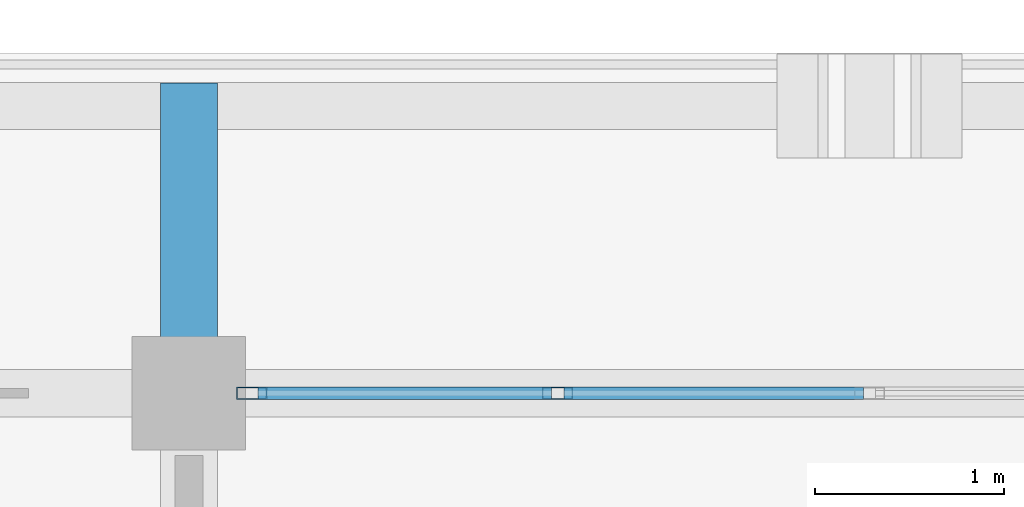
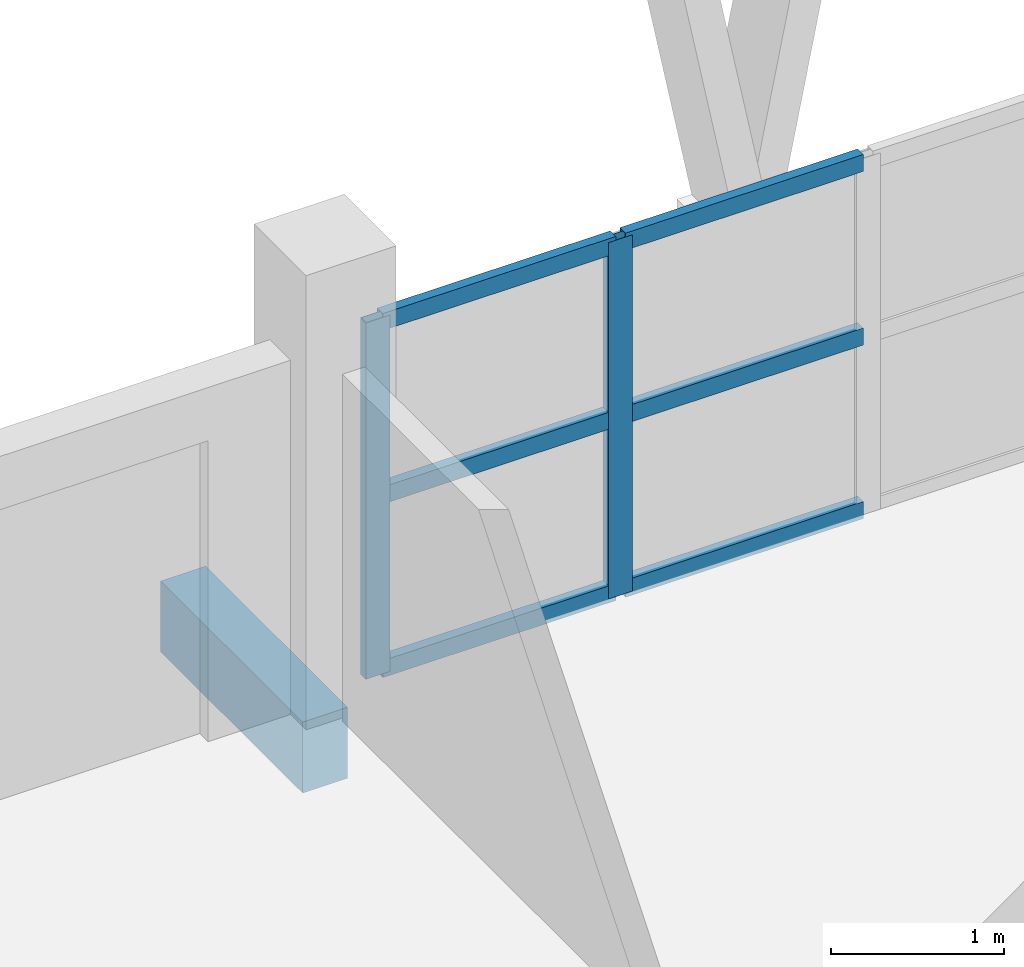
# One storey, part 13 of 56: 8 members, 1 beam, 1 element without a shape of its own.
"""IFC4 building model written with IfcOpenShell, lengths in metres."""

from ifc_helpers import new_model, si_unit, direction, frame, origin, origin_2d, place, context, subcontext, project, spatial, rectangle, hollow_rectangle, extrude, material, material_profile, profile_set, type_object, element, aggregate, save


model = new_model("IFC4")

# Units and contexts
model_context = context("Model", 3, precision=1e-05, world=origin(), true_north=direction((0.0, 1.0)))
body_context = subcontext(model_context, "Body", "Model", "MODEL_VIEW")
ifc_project = project(units=[si_unit("LENGTHUNIT", "METRE"), si_unit("AREAUNIT", "SQUARE_METRE"), si_unit("VOLUMEUNIT", "CUBIC_METRE"), si_unit("PLANEANGLEUNIT", "RADIAN"), si_unit("MASSUNIT", "GRAM", prefix="KILO")], contexts=[model_context])

# Site, building, storey
site_placement = place(None, origin())
site = spatial("IfcSite", under=ifc_project, at=site_placement, CompositionType="ELEMENT")
building_placement = place(site_placement, origin())
building = spatial("IfcBuilding", under=site, at=building_placement, Name="Suanplinth Sawtooth Commons", CompositionType="ELEMENT")
storey_placement = place(building_placement, frame((0.0, 0.0, 34.800048828125)))
storey = spatial("IfcBuildingStorey", under=building, at=storey_placement, Name="L10", CompositionType="ELEMENT", Elevation=34.800048828125)

# Beam
ifc_material_1 = material(Name="Precast concrete C40/50", Category="concrete")
ifc_material_profile_1 = material_profile(ifc_material_1, rectangle(XDim=0.300048828125, YDim=0.5, at=origin_2d()), Name="PC-BM 300x500")
ifc_profile_set_1 = profile_set([ifc_material_profile_1], Name="Precast concrete C40/50")
beam_type = type_object("IfcBeamType", Name="B-07", PredefinedType="BEAM", material=ifc_profile_set_1)
beam_placement = place(storey_placement, frame((79.199951171875, 122.39990234375, -0.429931640625), z_axis=(0.0, 1.0, 0.0), x_axis=(-1.0, 0.0, 0.0)))
element("IfcBeam", 1, at=beam_placement, inside=storey, type_object=beam_type, Name="Balcony Outrigger L10-A-N-11", PredefinedType="BEAM", context=body_context, shape_type="SweptSolid", body=[
    extrude(rectangle(XDim=0.300048828125, YDim=0.5, at=origin_2d()), origin(), (0.0, 0.0, 1.0), 1.64013671875),
])

# Curtain wall, members
ifc_material_2 = material(Name="Anodized aluminium and low-E glazing", Category="aluminium")
curtain_wall_type = type_object("IfcCurtainWallType", Name="CW-06", PredefinedType="USERDEFINED", material=ifc_material_2)
curtain_wall_placement = place(storey_placement, origin())
curtain_wall = element("IfcCurtainWall", 2, at=curtain_wall_placement, inside=storey, type_object=curtain_wall_type, Name="Curtain Wall CW-L10-A-LOUNGE-8", ObjectType="CURTAIN WALL", PredefinedType="USERDEFINED")
ifc_material_3 = material(Name="Anodized aluminium 6063-T6", Category="aluminium")
ifc_material_profile_2 = material_profile(ifc_material_3, hollow_rectangle(XDim=0.06494140625, YDim=0.159912109375, WallThickness=0.00390625, at=origin_2d()), Name="ALU-MUL 65x160")
ifc_profile_set_2 = profile_set([ifc_material_profile_2], Name="Anodized aluminium 6063-T6")
member_type_1 = type_object("IfcMemberType", Name="M-13", PredefinedType="MULLION", material=ifc_profile_set_2)
member_1_placement = place(storey_placement, frame((79.532470703125, 122.39990234375, 0.0), z_axis=(0.0, 0.0, 1.0), x_axis=(0.0, 1.0, 0.0)))
member_1 = element("IfcMember", 3, at=member_1_placement, type_object=member_type_1, Name="CW-06 mullion 1", PredefinedType="MULLION", context=body_context, shape_type="SweptSolid", body=[
    extrude(hollow_rectangle(XDim=0.06494140625, YDim=0.159912109375, WallThickness=0.00390625, at=origin_2d()), origin(), (0.0, 0.0, 1.0), 2.510009765625),
])
member_2_placement = place(storey_placement, frame((81.14990234375, 122.39990234375, 0.0), z_axis=(0.0, 0.0, 1.0), x_axis=(0.0, 1.0, 0.0)))
member_2 = element("IfcMember", 4, at=member_2_placement, type_object=member_type_1, Name="CW-06 mullion 2", PredefinedType="MULLION", context=body_context, shape_type="SweptSolid", body=[
    extrude(hollow_rectangle(XDim=0.06494140625, YDim=0.159912109375, WallThickness=0.00390625, at=origin_2d()), origin(), (0.0, 0.0, 1.0), 2.510009765625),
])
ifc_material_profile_3 = material_profile(ifc_material_3, hollow_rectangle(XDim=0.06494140625, YDim=0.1201171875, WallThickness=0.00390625, at=origin_2d()), Name="ALU-TRN 65x120")
ifc_profile_set_3 = profile_set([ifc_material_profile_3], Name="Anodized aluminium 6063-T6")
member_type_2 = type_object("IfcMemberType", Name="M-15", PredefinedType="USERDEFINED", material=ifc_profile_set_3)
member_3_placement = place(storey_placement, frame((79.56494140625, 122.39990234375, 0.032470703125), z_axis=(1.0, 0.0, 0.0), x_axis=(0.0, 1.0, 0.0)))
member_3 = element("IfcMember", 5, at=member_3_placement, type_object=member_type_2, Name="CW-06 transom 1.1", ObjectType="TRANSOM", PredefinedType="USERDEFINED", context=body_context, shape_type="SweptSolid", body=[
    extrude(hollow_rectangle(XDim=0.06494140625, YDim=0.1201171875, WallThickness=0.00390625, at=origin_2d()), origin(), (0.0, 0.0, 1.0), 1.552490234375),
])
member_4_placement = place(storey_placement, frame((79.56494140625, 122.39990234375, 1.2548828125), z_axis=(1.0, 0.0, 0.0), x_axis=(0.0, 1.0, 0.0)))
member_4 = element("IfcMember", 6, at=member_4_placement, type_object=member_type_2, Name="CW-06 transom 1.2", ObjectType="TRANSOM", PredefinedType="USERDEFINED", context=body_context, shape_type="SweptSolid", body=[
    extrude(hollow_rectangle(XDim=0.06494140625, YDim=0.1201171875, WallThickness=0.00390625, at=origin_2d()), origin(), (0.0, 0.0, 1.0), 1.552490234375),
])
member_5_placement = place(storey_placement, frame((79.56494140625, 122.39990234375, 2.4775390625), z_axis=(1.0, 0.0, 0.0), x_axis=(0.0, 1.0, 0.0)))
member_5 = element("IfcMember", 7, at=member_5_placement, type_object=member_type_2, Name="CW-06 transom 1.3", ObjectType="TRANSOM", PredefinedType="USERDEFINED", context=body_context, shape_type="SweptSolid", body=[
    extrude(hollow_rectangle(XDim=0.06494140625, YDim=0.1201171875, WallThickness=0.00390625, at=origin_2d()), origin(), (0.0, 0.0, 1.0), 1.552490234375),
])
member_6_placement = place(storey_placement, frame((81.1826171875, 122.39990234375, 0.032470703125), z_axis=(1.0, 0.0, 0.0), x_axis=(0.0, 1.0, 0.0)))
member_6 = element("IfcMember", 8, at=member_6_placement, type_object=member_type_2, Name="CW-06 transom 2.1", ObjectType="TRANSOM", PredefinedType="USERDEFINED", context=body_context, shape_type="SweptSolid", body=[
    extrude(hollow_rectangle(XDim=0.06494140625, YDim=0.1201171875, WallThickness=0.00390625, at=origin_2d()), origin(), (0.0, 0.0, 1.0), 1.5849609375),
])
member_7_placement = place(storey_placement, frame((81.1826171875, 122.39990234375, 1.2548828125), z_axis=(1.0, 0.0, 0.0), x_axis=(0.0, 1.0, 0.0)))
member_7 = element("IfcMember", 9, at=member_7_placement, type_object=member_type_2, Name="CW-06 transom 2.2", ObjectType="TRANSOM", PredefinedType="USERDEFINED", context=body_context, shape_type="SweptSolid", body=[
    extrude(hollow_rectangle(XDim=0.06494140625, YDim=0.1201171875, WallThickness=0.00390625, at=origin_2d()), origin(), (0.0, 0.0, 1.0), 1.5849609375),
])
member_8_placement = place(storey_placement, frame((81.1826171875, 122.39990234375, 2.4775390625), z_axis=(1.0, 0.0, 0.0), x_axis=(0.0, 1.0, 0.0)))
member_8 = element("IfcMember", 10, at=member_8_placement, type_object=member_type_2, Name="CW-06 transom 2.3", ObjectType="TRANSOM", PredefinedType="USERDEFINED", context=body_context, shape_type="SweptSolid", body=[
    extrude(hollow_rectangle(XDim=0.06494140625, YDim=0.1201171875, WallThickness=0.00390625, at=origin_2d()), origin(), (0.0, 0.0, 1.0), 1.5849609375),
])
aggregate(curtain_wall, [member_1, member_2, member_3, member_4, member_5, member_6, member_7, member_8])

save(model, "model.ifc")
